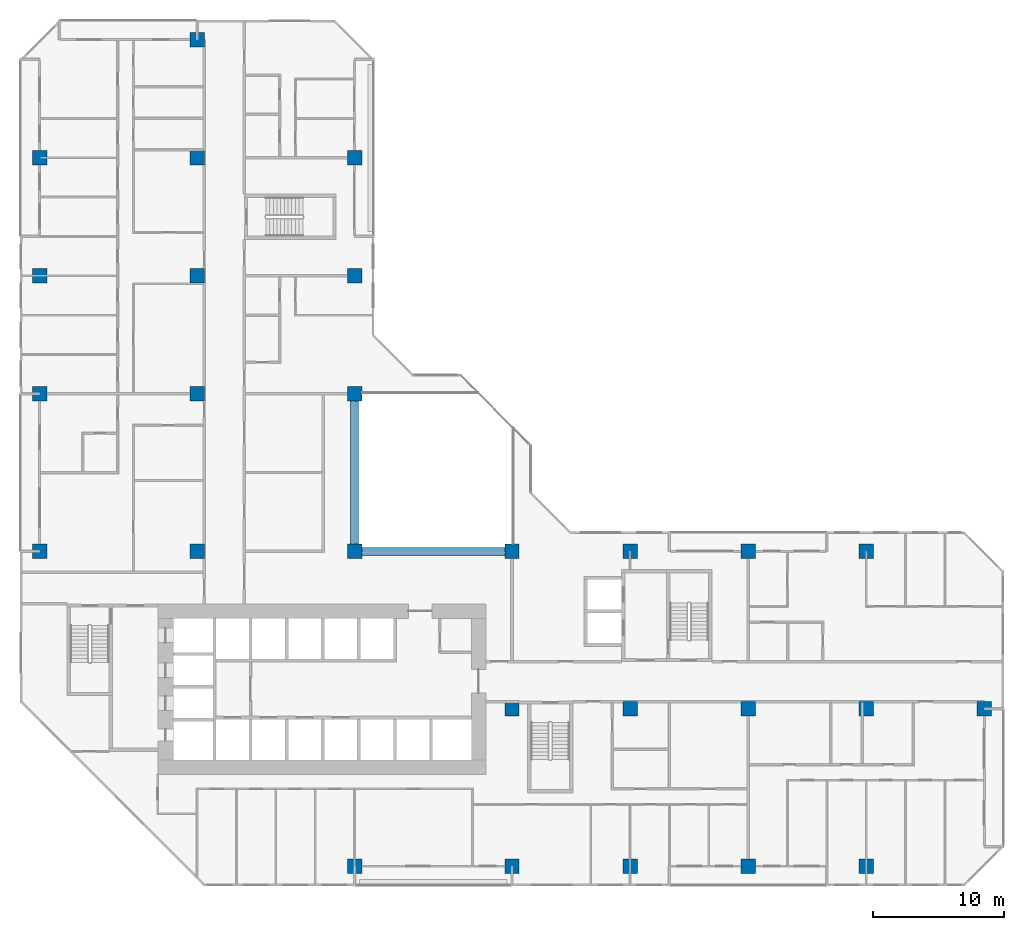
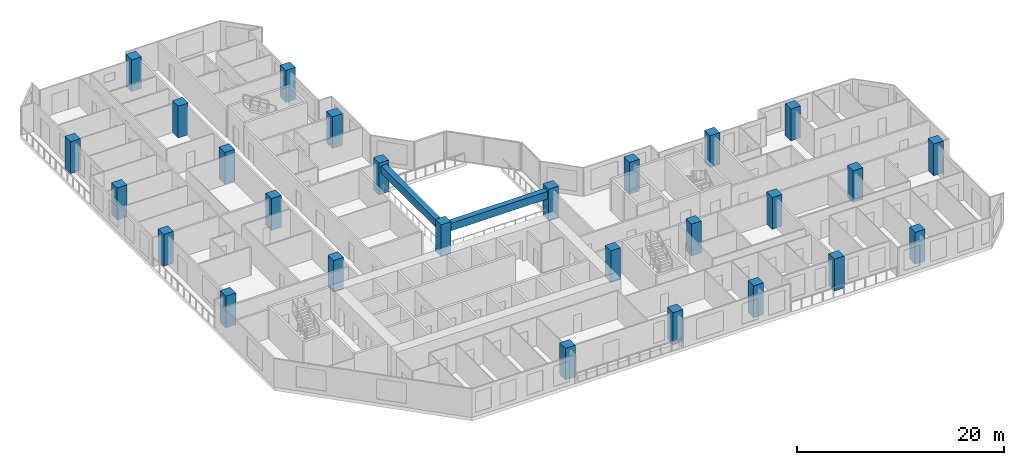
# One storey, part 1 of 15: 27 columns, 2 beams.
"""IFC4 building model written with IfcOpenShell, lengths in metres."""

from ifc_helpers import new_model, si_unit, direction, frame, origin, origin_2d, place, context, subcontext, project, spatial, rectangle, extrude, material, material_profile, profile_set, type_object, element, save


model = new_model("IFC4")

# Units and contexts
model_context = context("Model", 3, precision=1e-05, world=origin(), true_north=direction((0.0, 1.0)))
body_context = subcontext(model_context, "Body", "Model", "MODEL_VIEW")
ifc_project = project(units=[si_unit("LENGTHUNIT", "METRE"), si_unit("AREAUNIT", "SQUARE_METRE"), si_unit("VOLUMEUNIT", "CUBIC_METRE"), si_unit("PLANEANGLEUNIT", "RADIAN"), si_unit("MASSUNIT", "GRAM", prefix="KILO")], contexts=[model_context])

# Site, building, storey
site_placement = place(None, origin())
site = spatial("IfcSite", under=ifc_project, at=site_placement, CompositionType="ELEMENT")
building_placement = place(site_placement, origin())
building = spatial("IfcBuilding", under=site, at=building_placement, Name="Chenar Terraces", CompositionType="ELEMENT")
storey_placement = place(building_placement, frame((0.0, 0.0, 67.64990234375)))
storey = spatial("IfcBuildingStorey", under=building, at=storey_placement, Name="L14", CompositionType="ELEMENT", Elevation=67.64990234375)

# Columns
ifc_material_1 = material(Name="Concrete C70/85", Category="concrete")
ifc_material_profile_1 = material_profile(ifc_material_1, rectangle(XDim=1.10009765625, YDim=1.10009765625, at=origin_2d()), Name="C 1100 x 1100")
ifc_profile_set_1 = profile_set([ifc_material_profile_1], Name="Concrete C70/85")
column_type = type_object("IfcColumnType", Name="Column C 1100 x 1100 Concrete C70/85", PredefinedType="COLUMN", material=ifc_profile_set_1)
column_1_placement = place(storey_placement, frame((0.0, 24.0, 0.0), z_axis=(0.0, 0.0, 1.0), x_axis=(1.0, 0.0, 0.0)))
element("IfcColumn", 1, at=column_1_placement, inside=storey, type_object=column_type, Name="Column 5/G L14", PredefinedType="COLUMN", context=body_context, shape_type="SweptSolid", body=[
    extrude(rectangle(XDim=1.10009765625, YDim=1.10009765625, at=origin_2d()), origin(), (0.0, 0.0, 1.0), 3.75),
])
column_2_placement = place(storey_placement, frame((0.0, 36.0, 0.0), z_axis=(0.0, 0.0, 1.0), x_axis=(1.0, 0.0, 0.0)))
element("IfcColumn", 2, at=column_2_placement, inside=storey, type_object=column_type, Name="Column 5/H L14", PredefinedType="COLUMN", context=body_context, shape_type="SweptSolid", body=[
    extrude(rectangle(XDim=1.10009765625, YDim=1.10009765625, at=origin_2d()), origin(), (0.0, 0.0, 1.0), 3.75),
])
for number, where, z_axis, x_axis, name in (
    (3, (0.0, 45.0, 0.0), (0.0, 0.0, 1.0), (1.0, 0.0, 0.0), "Column 5/J L14"),
    (4, (0.0, 54.0, 0.0), (0.0, 0.0, 1.0), (1.0, 0.0, 0.0), "Column 5/K L14"),
    (5, (12.0, 24.0, 0.0), (0.0, 0.0, 1.0), (1.0, 0.0, 0.0), "Column 6/G L14"),
    (6, (12.0, 36.0, 0.0), (0.0, 0.0, 1.0), (1.0, 0.0, 0.0), "Column 6/H L14"),
    (7, (12.0, 45.0, 0.0), (0.0, 0.0, 1.0), (1.0, 0.0, 0.0), "Column 6/J L14"),
    (8, (12.0, 54.0, 0.0), (0.0, 0.0, 1.0), (1.0, 0.0, 0.0), "Column 6/K L14"),
    (9, (12.0, 63.0, 0.0), (0.0, 0.0, 1.0), (1.0, 0.0, 0.0), "Column 6/L L14"),
    (10, (24.0, 0.0, 0.0), (0.0, 0.0, 1.0), (1.0, 0.0, 0.0), "Column 7/E L14"),
    (11, (24.0, 24.0, 0.0), (0.0, 0.0, 1.0), (1.0, 0.0, 0.0), "Column 7/G L14"),
    (12, (24.0, 36.0, 0.0), (0.0, 0.0, 1.0), (1.0, 0.0, 0.0), "Column 7/H L14"),
    (13, (24.0, 45.0, 0.0), (0.0, 0.0, 1.0), (1.0, 0.0, 0.0), "Column 7/J L14"),
    (14, (24.0, 54.0, 0.0), (0.0, 0.0, 1.0), (1.0, 0.0, 0.0), "Column 7/K L14"),
    (15, (36.0, 0.0, 0.0), (0.0, 0.0, 1.0), (1.0, 0.0, 0.0), "Column 8/E L14"),
    (16, (36.0, 12.0, 0.0), (0.0, 0.0, 1.0), (1.0, 0.0, 0.0), "Column 8/F L14"),
    (17, (36.0, 24.0, 0.0), (0.0, 0.0, 1.0), (1.0, 0.0, 0.0), "Column 8/G L14"),
    (18, (45.0, 0.0, 0.0), (0.0, 0.0, 1.0), (1.0, 0.0, 0.0), "Column 9/E L14"),
    (19, (45.0, 12.0, 0.0), (0.0, 0.0, 1.0), (1.0, 0.0, 0.0), "Column 9/F L14"),
    (20, (45.0, 24.0, 0.0), (0.0, 0.0, 1.0), (1.0, 0.0, 0.0), "Column 9/G L14"),
    (21, (54.0, 0.0, 0.0), (0.0, 0.0, 1.0), (1.0, 0.0, 0.0), "Column 10/E L14"),
    (22, (54.0, 12.0, 0.0), (0.0, 0.0, 1.0), (1.0, 0.0, 0.0), "Column 10/F L14"),
    (23, (54.0, 24.0, 0.0), (0.0, 0.0, 1.0), (1.0, 0.0, 0.0), "Column 10/G L14"),
    (24, (63.0, 0.0, 0.0), (0.0, 0.0, 1.0), (1.0, 0.0, 0.0), "Column 11/E L14"),
    (25, (63.0, 12.0, 0.0), (0.0, 0.0, 1.0), (1.0, 0.0, 0.0), "Column 11/F L14"),
    (26, (63.0, 24.0, 0.0), (0.0, 0.0, 1.0), (1.0, 0.0, 0.0), "Column 11/G L14"),
    (27, (72.0, 12.0, 0.0), (0.0, 0.0, 1.0), (1.0, 0.0, 0.0), "Column 12/F L14"),
):
    element("IfcColumn", number, at=place(storey_placement, frame(where, z_axis=z_axis, x_axis=x_axis)), inside=storey, type_object=column_type, Name=name, PredefinedType="COLUMN", context=body_context, shape_type="SweptSolid", body=[
        extrude(rectangle(XDim=1.10009765625, YDim=1.10009765625, at=origin_2d()), origin(), (0.0, 0.0, 1.0), 3.75),
    ])

# Beams
ifc_material_2 = material(Name="Concrete C40/50", Category="concrete")
ifc_material_profile_2 = material_profile(ifc_material_2, rectangle(XDim=0.60009765625, YDim=0.89990234375, at=origin_2d()), Name="RC 600 x 900")
ifc_profile_set_2 = profile_set([ifc_material_profile_2], Name="Concrete C40/50")
beam_type = type_object("IfcBeamType", Name="Atrium edge beam 600 x 900 Concrete C40/50", PredefinedType="BEAM", material=ifc_profile_set_2)
for number, where, z_axis, x_axis, name in (
    (28, (24.550048828125, 24.0, 2.900146484375), (1.0, 0.0, 0.0), (0.0, 1.0, 0.0), "Atrium edge beam L15 1"),
    (29, (24.0, 35.449951171875, 2.900146484375), (0.0, -1.0, 0.0), (1.0, 0.0, 0.0), "Atrium edge beam L15 4"),
):
    element("IfcBeam", number, at=place(storey_placement, frame(where, z_axis=z_axis, x_axis=x_axis)), inside=storey, type_object=beam_type, Name=name, PredefinedType="BEAM", context=body_context, shape_type="SweptSolid", body=[
        extrude(rectangle(XDim=0.60009765625, YDim=0.89990234375, at=origin_2d()), origin(), (0.0, 0.0, 1.0), 10.89990234375),
    ])

save(model, "model.ifc")
